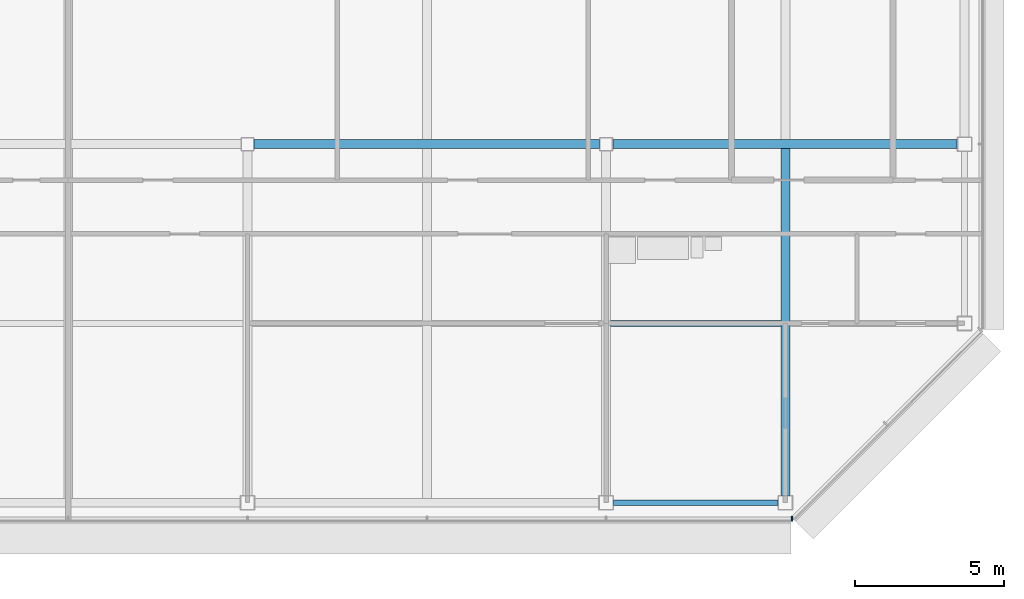
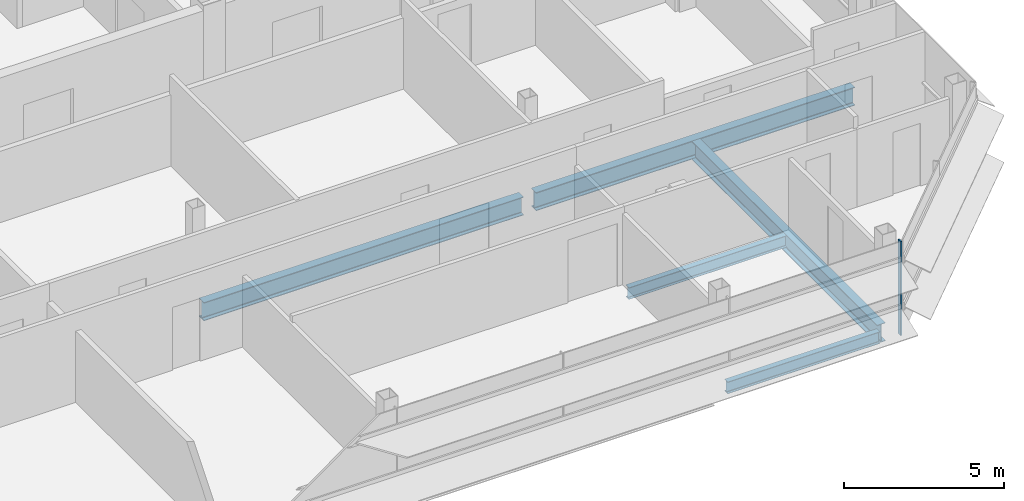
# One storey, part 11 of 27: 5 beams, 1 member, 1 element without a shape of its own.
"""IFC4 building model written with IfcOpenShell, lengths in metres."""

from ifc_helpers import new_model, si_unit, direction, frame, origin, origin_2d, place, context, subcontext, project, spatial, rectangle, i_section, extrude, material, material_profile, profile_set, type_object, element, aggregate, save


model = new_model("IFC4")

# Units and contexts
model_context = context("Model", 3, precision=1e-05, world=origin(), true_north=direction((0.0, 1.0)))
body_context = subcontext(model_context, "Body", "Model", "MODEL_VIEW")
ifc_project = project(units=[si_unit("LENGTHUNIT", "METRE"), si_unit("AREAUNIT", "SQUARE_METRE"), si_unit("VOLUMEUNIT", "CUBIC_METRE"), si_unit("PLANEANGLEUNIT", "RADIAN"), si_unit("MASSUNIT", "GRAM", prefix="KILO")], contexts=[model_context])

# Site, building, storey
site_placement = place(None, origin())
site = spatial("IfcSite", under=ifc_project, at=site_placement, CompositionType="ELEMENT")
building_placement = place(site_placement, origin())
building = spatial("IfcBuilding", under=site, at=building_placement, Name="Sorahane Residences", CompositionType="ELEMENT")
storey_placement = place(building_placement, frame((0.0, 0.0, 312.39990234375)))
storey = spatial("IfcBuildingStorey", under=building, at=storey_placement, Name="L74", CompositionType="ELEMENT", Elevation=312.39990234375)

# Curtain wall, member
ifc_material_1 = material(Name="Dark low-e glass and black anodised aluminium", Category="aluminium")
curtain_wall_type = type_object("IfcCurtainWallType", Name="Curtain wall CW-1 Typical unitised wall", PredefinedType="NOTDEFINED", material=ifc_material_1)
curtain_wall_placement = place(storey_placement, origin())
curtain_wall = element("IfcCurtainWall", 1, at=curtain_wall_placement, inside=storey, type_object=curtain_wall_type, Name="CW-1 curtain wall L74 S1", PredefinedType="NOTDEFINED")
ifc_material_2 = material(Name="Black anodised aluminium", Category="aluminium")
ifc_material_profile_1 = material_profile(ifc_material_2, rectangle(XDim=0.159912109375, YDim=0.050048828125, at=origin_2d()), Name="Curtain wall mullion CW-1 black anodised aluminium 50x160")
ifc_profile_set_1 = profile_set([ifc_material_profile_1], Name="Black anodised aluminium")
member_type = type_object("IfcMemberType", Name="Curtain wall mullion CW-1 black anodised aluminium 50x160", PredefinedType="MULLION", material=ifc_profile_set_1)
member_placement = place(storey_placement, frame((42.2236328125, -0.5400390625, -0.179931640625), z_axis=(0.0, 0.0, 1.0), x_axis=(0.0, -1.0, 0.0)))
member = element("IfcMember", 2, at=member_placement, type_object=member_type, Name="CW-1 mullion L74 S1.10", PredefinedType="MULLION", context=body_context, shape_type="SweptSolid", body=[
    extrude(rectangle(XDim=0.159912109375, YDim=0.050048828125, at=origin_2d()), origin(), (0.0, 0.0, 1.0), 3.60009765625),
])
aggregate(curtain_wall, [member])

# Beams
ifc_material_3 = material(Name="Steel Q355B", Category="steel")
ifc_material_profile_2 = material_profile(ifc_material_3, i_section(OverallWidth=0.199951171875, OverallDepth=0.449951171875, WebThickness=0.009033203125, FlangeThickness=0.013916015625, FilletRadius=0.02001953125, at=origin_2d()), Name="HN 450x200x9x14")
ifc_profile_set_2 = profile_set([ifc_material_profile_2], Name="Steel Q355B")
beam_type_1 = type_object("IfcBeamType", Name="Steel floor beam HN 450x200x9x14 Q355B", PredefinedType="BEAM", material=ifc_profile_set_2)
beam_1_placement = place(storey_placement, frame((36.25, 0.0, -0.40478515625), z_axis=(1.0, 0.0, 0.0), x_axis=(0.0, 1.0, 0.0)))
element("IfcBeam", 3, at=beam_1_placement, inside=storey, type_object=beam_type_1, Name="Beam L74 004", PredefinedType="BEAM", context=body_context, shape_type="SweptSolid", body=[
    extrude(i_section(OverallWidth=0.199951171875, OverallDepth=0.449951171875, WebThickness=0.009033203125, FlangeThickness=0.013916015625, FilletRadius=0.02001953125, at=origin_2d()), origin(), (0.0, 0.0, 1.0), 5.5),
])
beam_2_placement = place(storey_placement, frame((36.14990234375, 6.0, -0.40478515625), z_axis=(1.0, 0.0, 0.0), x_axis=(0.0, 1.0, 0.0)))
element("IfcBeam", 4, at=beam_2_placement, inside=storey, type_object=beam_type_1, Name="Beam L74 074", PredefinedType="BEAM", context=body_context, shape_type="SweptSolid", body=[
    extrude(i_section(OverallWidth=0.199951171875, OverallDepth=0.449951171875, WebThickness=0.009033203125, FlangeThickness=0.013916015625, FilletRadius=0.02001953125, at=origin_2d()), origin(), (0.0, 0.0, 1.0), 5.7001953125),
])
ifc_material_4 = material(Name="Steel Q355B", Category="steel")
ifc_material_profile_3 = material_profile(ifc_material_4, i_section(OverallWidth=0.300048828125, OverallDepth=0.699951171875, WebThickness=0.012939453125, FlangeThickness=0.02392578125, FilletRadius=0.028076171875, at=origin_2d()), Name="HN 700x300x13x24")
ifc_profile_set_3 = profile_set([ifc_material_profile_3], Name="Steel Q355B")
beam_type_2 = type_object("IfcBeamType", Name="Steel floor beam HN 700x300x13x24 Q355B", PredefinedType="BEAM", material=ifc_profile_set_3)
beam_3_placement = place(storey_placement, frame((24.22509765625, 12.0, -0.52978515625), z_axis=(1.0, 0.0, 0.0), x_axis=(0.0, 1.0, 0.0)))
element("IfcBeam", 5, at=beam_3_placement, inside=storey, type_object=beam_type_2, Name="Beam L74 009", PredefinedType="BEAM", context=body_context, shape_type="SweptSolid", body=[
    extrude(i_section(OverallWidth=0.300048828125, OverallDepth=0.699951171875, WebThickness=0.012939453125, FlangeThickness=0.02392578125, FilletRadius=0.028076171875, at=origin_2d()), origin(), (0.0, 0.0, 1.0), 11.5498046875),
])
beam_4_placement = place(storey_placement, frame((36.22509765625, 12.0, -0.52978515625), z_axis=(1.0, 0.0, 0.0), x_axis=(0.0, 1.0, 0.0)))
element("IfcBeam", 6, at=beam_4_placement, inside=storey, type_object=beam_type_2, Name="Beam L74 010", PredefinedType="BEAM", context=body_context, shape_type="SweptSolid", body=[
    extrude(i_section(OverallWidth=0.300048828125, OverallDepth=0.699951171875, WebThickness=0.012939453125, FlangeThickness=0.02392578125, FilletRadius=0.028076171875, at=origin_2d()), origin(), (0.0, 0.0, 1.0), 11.52490234375),
])
beam_5_placement = place(storey_placement, frame((42.0, 0.25, -0.52978515625), z_axis=(0.0, 1.0, 0.0), x_axis=(-1.0, 0.0, 0.0)))
element("IfcBeam", 7, at=beam_5_placement, inside=storey, type_object=beam_type_2, Name="Beam L74 056", PredefinedType="BEAM", context=body_context, shape_type="SweptSolid", body=[
    extrude(i_section(OverallWidth=0.300048828125, OverallDepth=0.699951171875, WebThickness=0.012939453125, FlangeThickness=0.02392578125, FilletRadius=0.028076171875, at=origin_2d()), origin(), (0.0, 0.0, 1.0), 11.60009765625),
])

save(model, "model.ifc")
